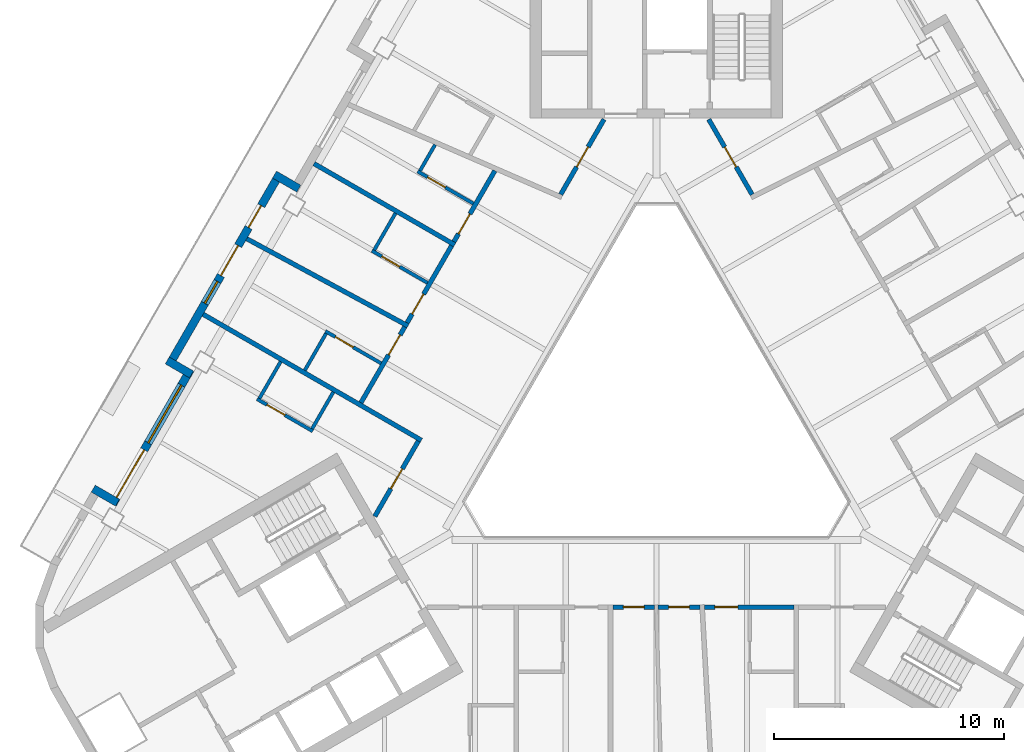
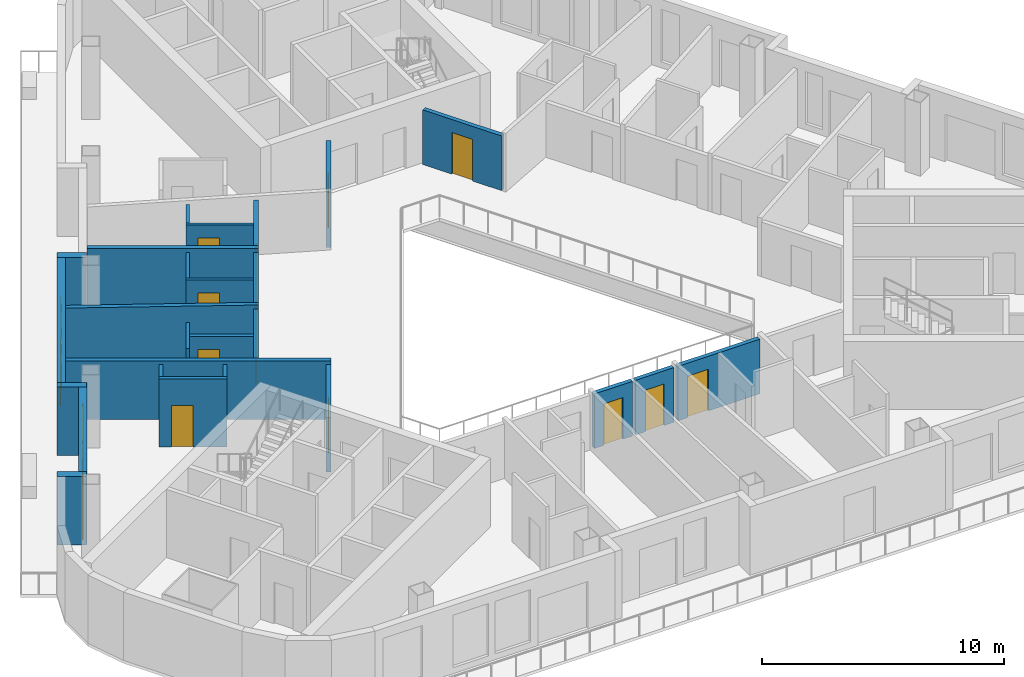
# One storey, part 4 of 14: 26 walls, 16 doors, 2 windows, 18 openings.
"""IFC4 building model written with IfcOpenShell, lengths in metres."""

from ifc_helpers import new_model, si_unit, direction, frame, frame_2d, origin, place, context, subcontext, project, spatial, rectangle, extrude, material, layer, layer_set, type_object, element, fill, save


model = new_model("IFC4")

# Units and contexts
model_context = context("Model", 3, precision=1e-05, world=origin(), true_north=direction((0.0, 1.0)))
body_context = subcontext(model_context, "Body", "Model", "MODEL_VIEW")
ifc_project = project(units=[si_unit("LENGTHUNIT", "METRE"), si_unit("AREAUNIT", "SQUARE_METRE"), si_unit("VOLUMEUNIT", "CUBIC_METRE"), si_unit("PLANEANGLEUNIT", "RADIAN"), si_unit("MASSUNIT", "GRAM", prefix="KILO")], contexts=[model_context])

# Site, building, storey
site_placement = place(None, origin())
site = spatial("IfcSite", under=ifc_project, at=site_placement, CompositionType="ELEMENT")
building_placement = place(site_placement, origin())
building = spatial("IfcBuilding", under=site, at=building_placement, Name="Apuvela Tower Hotel", CompositionType="ELEMENT")
storey_placement = place(building_placement, frame((0.0, 0.0, 228.0)))
storey = spatial("IfcBuildingStorey", under=building, at=storey_placement, Name="L56", CompositionType="ELEMENT", Elevation=228.0)

# Wall
ifc_material_1 = material(Name="Concrete C40/50, dark pigmented precast panel", Category="concrete")
ifc_layer_1 = layer(ifc_material_1, 0.35009765625)
ifc_layer_set_1 = layer_set([ifc_layer_1], Name="ENV-WALL-350")
wall_type_1 = type_object("IfcWallType", Name="ENV-WALL-350", PredefinedType="SOLIDWALL", material=ifc_layer_set_1)
wall_1_placement = place(storey_placement, frame((-15.580810546875, 9.8330078125, 0.0), z_axis=(0.0, 0.0, 1.0), x_axis=(-0.866055662726, 0.499947586314, 0.0)))
element("IfcWall", 1, at=wall_1_placement, inside=storey, type_object=wall_type_1, Name="External wall L56-04", PredefinedType="SOLIDWALL", context=body_context, shape_type="SweptSolid", body=[
    extrude(rectangle(XDim=1.220458984375, YDim=0.35009765625, at=frame_2d((0.6103515625, 0.0))), origin(), (0.0, 0.0, 1.0), 3.449951171875),
])

# Wall, openings, doors, window
wall_2_placement = place(storey_placement, frame((-16.3984375, 10.507080078125, 0.0), z_axis=(0.0, 0.0, 1.0), x_axis=(-0.499999142773, -0.866025898704, 0.0)))
wall_2 = element("IfcWall", 2, at=wall_2_placement, inside=storey, type_object=wall_type_1, Name="External wall L56-05", PredefinedType="SOLIDWALL", context=body_context, shape_type="SweptSolid", body=[
    extrude(rectangle(XDim=9.7001953125, YDim=0.35009765625, at=frame_2d((4.85009765625, 0.0))), origin(), (0.0, 0.0, 1.0), 3.449951171875),
])
opening_1_placement = place(wall_2_placement, frame((1.6376953125, 0.0, 0.0)))
opening_1 = element("IfcOpeningElement", 3, at=opening_1_placement, cuts=wall_2, Name="Opening BD11", PredefinedType="OPENING", context=body_context, shape_type="SweptSolid", body=[
    extrude(rectangle(XDim=1.10009765625, YDim=2.39990234375, at=frame_2d((0.550048828125, 1.199951171875))), frame((0.0, 0.18505859375, 0.0), z_axis=(0.0, -1.0, 0.0), x_axis=(1.0, 0.0, 0.0)), (0.0, 0.0, 1.0), 0.3701171875),
])
opening_2_placement = place(wall_2_placement, frame((3.64990234375, 0.0, 0.0)))
opening_2 = element("IfcOpeningElement", 4, at=opening_2_placement, cuts=wall_2, Name="Opening BD15", PredefinedType="OPENING", context=body_context, shape_type="SweptSolid", body=[
    extrude(rectangle(XDim=1.5, YDim=2.39990234375, at=frame_2d((0.75, 1.199951171875))), frame((0.0, 0.18505859375, 0.0), z_axis=(0.0, -1.0, 0.0), x_axis=(1.0, 0.0, 0.0)), (0.0, 0.0, 1.0), 0.3701171875),
])
opening_3_placement = place(wall_2_placement, frame((5.44970703125, 0.0, 0.300048828125)))
opening_3 = element("IfcOpeningElement", 5, at=opening_3_placement, cuts=wall_2, Name="Opening WN11", PredefinedType="OPENING", context=body_context, shape_type="SweptSolid", body=[
    extrude(rectangle(XDim=1.10009765625, YDim=2.64990234375, at=frame_2d((0.550048828125, 1.324951171875))), frame((0.0, 0.18505859375, 0.0), z_axis=(0.0, -1.0, 0.0), x_axis=(1.0, 0.0, 0.0)), (0.0, 0.0, 1.0), 0.3701171875),
])
ifc_material_2 = material(Name="Aluminium 6063-T6, dark bronze anodised frame with dark tinted laminated glass", Category="aluminium")
door_type_1 = type_object("IfcDoorType", Name="ENV-DOOR-BALCONY-1100x2400", OperationType="SLIDING_TO_LEFT", PredefinedType="DOOR", material=ifc_material_2)
door_1_placement = place(opening_1_placement, frame((1.10009765625, 0.0, 0.0), z_axis=(0.0, 0.0, 1.0), x_axis=(-1.0, 0.0, 0.0)))
door_1 = element("IfcDoor", 6, at=door_1_placement, inside=storey, type_object=door_type_1, Name="Balcony door BD11", OperationType="SLIDING_TO_LEFT", OverallHeight=2.39990234375, OverallWidth=1.10009765625, PredefinedType="DOOR", context=body_context, shape_type="SweptSolid", body=[
    extrude(rectangle(XDim=1.10009765625, YDim=2.39990234375, at=frame_2d((0.550048828125, 1.199951171875))), frame((0.0, 0.02490234375, 0.0), z_axis=(0.0, -1.0, 0.0), x_axis=(1.0, 0.0, 0.0)), (0.0, 0.0, 1.0), 0.050048828125),
])
fill(opening_1, door_1)
door_type_2 = type_object("IfcDoorType", Name="ENV-DOOR-BALCONY-1500x2400", OperationType="SLIDING_TO_LEFT", PredefinedType="DOOR", material=ifc_material_2)
door_2_placement = place(opening_2_placement, frame((1.5, 0.0, 0.0), z_axis=(0.0, 0.0, 1.0), x_axis=(-1.0, 0.0, 0.0)))
door_2 = element("IfcDoor", 7, at=door_2_placement, inside=storey, type_object=door_type_2, Name="Balcony door BD15", OperationType="SLIDING_TO_LEFT", OverallHeight=2.39990234375, OverallWidth=1.5, PredefinedType="DOOR", context=body_context, shape_type="SweptSolid", body=[
    extrude(rectangle(XDim=1.5, YDim=2.39990234375, at=frame_2d((0.75, 1.199951171875))), frame((0.0, 0.02490234375, 0.0), z_axis=(0.0, -1.0, 0.0), x_axis=(1.0, 0.0, 0.0)), (0.0, 0.0, 1.0), 0.050048828125),
])
fill(opening_2, door_2)
ifc_material_3 = material(Name="Glass, dark tinted laminated insulated glazing unit", Category="glass")
window_type_1 = type_object("IfcWindowType", Name="ENV-WIN-1100x2650", PartitioningType="SINGLE_PANEL", PredefinedType="WINDOW", material=ifc_material_3)
window_1_placement = place(opening_3_placement, origin())
window_1 = element("IfcWindow", 8, at=window_1_placement, inside=storey, type_object=window_type_1, Name="Window WN11", OverallHeight=2.64990234375, OverallWidth=1.10009765625, PartitioningType="SINGLE_PANEL", PredefinedType="WINDOW", context=body_context, shape_type="SweptSolid", body=[
    extrude(rectangle(XDim=1.10009765625, YDim=2.64990234375, at=frame_2d((0.550048828125, 1.324951171875))), frame((0.0, 0.030029296875, 0.0), z_axis=(0.0, -1.0, 0.0), x_axis=(1.0, 0.0, 0.0)), (0.0, 0.0, 1.0), 0.06005859375),
])
fill(opening_3, window_1)

# Wall
wall_3_placement = place(storey_placement, frame((-21.3125, 2.345703125, 0.0), z_axis=(0.0, 0.0, 1.0), x_axis=(0.866005645448, -0.500034220881, 0.0)))
element("IfcWall", 9, at=wall_3_placement, inside=storey, type_object=wall_type_1, Name="External wall L56-06", PredefinedType="SOLIDWALL", context=body_context, shape_type="SweptSolid", body=[
    extrude(rectangle(XDim=1.22021484375, YDim=0.35009765625, at=frame_2d((0.610107421875, 0.0))), origin(), (0.0, 0.0, 1.0), 3.449951171875),
])

# Wall, openings, door, window
wall_4_placement = place(storey_placement, frame((-20.30908203125, 1.93359375, 0.0), z_axis=(0.0, 0.0, 1.0), x_axis=(-0.499992114976, -0.866029956157, 0.0)))
wall_4 = element("IfcWall", 10, at=wall_4_placement, inside=storey, type_object=wall_type_1, Name="External wall L56-07", PredefinedType="SOLIDWALL", context=body_context, shape_type="SweptSolid", body=[
    extrude(rectangle(XDim=6.73974609375, YDim=0.35009765625, at=frame_2d((3.369873046875, 0.0))), origin(), (0.0, 0.0, 1.0), 3.449951171875),
])
opening_4_placement = place(wall_4_placement, frame((4.02001953125, 0.0, 0.0)))
opening_4 = element("IfcOpeningElement", 11, at=opening_4_placement, cuts=wall_4, Name="Opening BD24", PredefinedType="OPENING", context=body_context, shape_type="SweptSolid", body=[
    extrude(rectangle(XDim=2.39990234375, YDim=2.39990234375, at=frame_2d((1.199951171875, 1.199951171875))), frame((0.0, 0.18505859375, 0.0), z_axis=(0.0, -1.0, 0.0), x_axis=(1.0, 0.0, 0.0)), (0.0, 0.0, 1.0), 0.3701171875),
])
opening_5_placement = place(wall_4_placement, frame((0.77001953125, 0.0, 0.300048828125)))
opening_5 = element("IfcOpeningElement", 12, at=opening_5_placement, cuts=wall_4, Name="Opening WN29", PredefinedType="OPENING", context=body_context, shape_type="SweptSolid", body=[
    extrude(rectangle(XDim=2.89990234375, YDim=2.64990234375, at=frame_2d((1.449951171875, 1.324951171875))), frame((0.0, 0.18505859375, 0.0), z_axis=(0.0, -1.0, 0.0), x_axis=(1.0, 0.0, 0.0)), (0.0, 0.0, 1.0), 0.3701171875),
])
door_type_3 = type_object("IfcDoorType", Name="ENV-DOOR-BALCONY-2400x2400", OperationType="SLIDING_TO_LEFT", PredefinedType="DOOR", material=ifc_material_2)
door_3_placement = place(opening_4_placement, frame((2.39990234375, 0.0, 0.0), z_axis=(0.0, 0.0, 1.0), x_axis=(-1.0, 0.0, 0.0)))
door_3 = element("IfcDoor", 13, at=door_3_placement, inside=storey, type_object=door_type_3, Name="Balcony door BD24", OperationType="SLIDING_TO_LEFT", OverallHeight=2.39990234375, OverallWidth=2.39990234375, PredefinedType="DOOR", context=body_context, shape_type="SweptSolid", body=[
    extrude(rectangle(XDim=2.39990234375, YDim=2.39990234375, at=frame_2d((1.199951171875, 1.199951171875))), frame((0.0, 0.02490234375, 0.0), z_axis=(0.0, -1.0, 0.0), x_axis=(1.0, 0.0, 0.0)), (0.0, 0.0, 1.0), 0.050048828125),
])
fill(opening_4, door_3)
window_type_2 = type_object("IfcWindowType", Name="ENV-WIN-2900x2650", PartitioningType="SINGLE_PANEL", PredefinedType="WINDOW", material=ifc_material_3)
window_2_placement = place(opening_5_placement, origin())
window_2 = element("IfcWindow", 14, at=window_2_placement, inside=storey, type_object=window_type_2, Name="Window WN29", OverallHeight=2.64990234375, OverallWidth=2.89990234375, PartitioningType="SINGLE_PANEL", PredefinedType="WINDOW", context=body_context, shape_type="SweptSolid", body=[
    extrude(rectangle(XDim=2.89990234375, YDim=2.64990234375, at=frame_2d((1.449951171875, 1.324951171875))), frame((0.0, 0.030029296875, 0.0), z_axis=(0.0, -1.0, 0.0), x_axis=(1.0, 0.0, 0.0)), (0.0, 0.0, 1.0), 0.06005859375),
])
fill(opening_5, window_2)

# Walls
wall_5_placement = place(storey_placement, frame((-23.48095703125, -3.85009765625, 0.0), z_axis=(0.0, 0.0, 1.0), x_axis=(-0.866092288191, 0.499884134912, 0.0)))
element("IfcWall", 15, at=wall_5_placement, inside=storey, type_object=wall_type_1, Name="External wall L56-08", PredefinedType="SOLIDWALL", context=body_context, shape_type="SweptSolid", body=[
    extrude(rectangle(XDim=1.219970703125, YDim=0.35009765625, at=frame_2d((0.60986328125, 0.0))), origin(), (0.0, 0.0, 1.0), 3.449951171875),
])
ifc_material_4 = material(Name="Gypsum board partition on twin steel stud", Category="steel")
ifc_layer_2 = layer(ifc_material_4, 0.199951171875)
ifc_layer_set_2 = layer_set([ifc_layer_2], Name="GST-PW1")
wall_type_2 = type_object("IfcWallType", Name="GST-PW1", PredefinedType="PARTITIONING", material=ifc_layer_set_2)
wall_6_placement = place(storey_placement, frame((-14.91748046875, 10.922119140625, 0.0), z_axis=(0.0, 0.0, 1.0), x_axis=(0.866019052629, -0.500011000363, 0.0)))
element("IfcWall", 16, at=wall_6_placement, inside=storey, type_object=wall_type_2, Name="L56 partition 10", PredefinedType="PARTITIONING", context=body_context, shape_type="SweptSolid", body=[
    extrude(rectangle(XDim=7.079833984375, YDim=0.199951171875, at=frame_2d((3.5400390625, 0.0))), origin(), (0.0, 0.0, 1.0), 2.9599609375),
])
wall_7_placement = place(storey_placement, frame((-17.846923828125, 7.648193359375, 0.0), z_axis=(0.0, 0.0, 1.0), x_axis=(0.879604495132, -0.475705720109, 0.0)))
element("IfcWall", 17, at=wall_7_placement, inside=storey, type_object=wall_type_2, Name="L56 partition 11", PredefinedType="PARTITIONING", context=body_context, shape_type="SweptSolid", body=[
    extrude(rectangle(XDim=7.983154296875, YDim=0.199951171875, at=frame_2d((3.99169921875, 0.0))), origin(), (0.0, 0.0, 1.0), 2.9599609375),
])
wall_8_placement = place(storey_placement, frame((-19.7470703125, 4.357177734375, 0.0), z_axis=(0.0, 0.0, 1.0), x_axis=(0.866027479907, -0.499996404033, 0.0)))
element("IfcWall", 18, at=wall_8_placement, inside=storey, type_object=wall_type_2, Name="L56 partition 12", PredefinedType="PARTITIONING", context=body_context, shape_type="SweptSolid", body=[
    extrude(rectangle(XDim=10.97998046875, YDim=0.199951171875, at=frame_2d((5.489990234375, 0.0))), origin(), (0.0, 0.0, 1.0), 2.9599609375),
])

# Wall, opening, door
ifc_material_5 = material(Name="Gypsum board corridor wall on twin steel stud, acoustic", Category="steel")
ifc_layer_3 = layer(ifc_material_5, 0.199951171875)
ifc_layer_set_3 = layer_set([ifc_layer_3], Name="GST-PW2")
wall_type_3 = type_object("IfcWallType", Name="GST-PW2", PredefinedType="PARTITIONING", material=ifc_layer_set_3)
wall_9_placement = place(storey_placement, frame((-0.077880859375, -8.39990234375, 0.0), z_axis=(0.0, 0.0, 1.0), x_axis=(-1.0, 0.0, 0.0)))
wall_9 = element("IfcWall", 19, at=wall_9_placement, inside=storey, type_object=wall_type_3, Name="L56 partition 21", PredefinedType="PARTITIONING", context=body_context, shape_type="SweptSolid", body=[
    extrude(rectangle(XDim=1.822021484375, YDim=0.199951171875, at=frame_2d((0.9111328125, 0.0))), origin(), (0.0, 0.0, 1.0), 2.760009765625),
])
opening_6_placement = place(wall_9_placement, frame((0.461181640625, 0.0, 0.0)))
opening_6 = element("IfcOpeningElement", 20, at=opening_6_placement, cuts=wall_9, Name="Opening GD22-05", PredefinedType="OPENING", context=body_context, shape_type="SweptSolid", body=[
    extrude(rectangle(XDim=0.89990234375, YDim=2.10009765625, at=frame_2d((0.449951171875, 1.050048828125))), frame((0.0, 0.10986328125, 0.0), z_axis=(0.0, -1.0, 0.0), x_axis=(1.0, 0.0, 0.0)), (0.0, 0.0, 1.0), 0.219970703125),
])
ifc_material_6 = material(Name="Timber door leaf in steel frame", Category="steel")
door_type_4 = type_object("IfcDoorType", Name="GST-D2", OperationType="NOTDEFINED", PredefinedType="DOOR", material=ifc_material_6)
door_4_placement = place(opening_6_placement, origin())
door_4 = element("IfcDoor", 21, at=door_4_placement, inside=storey, type_object=door_type_4, Name="Door L56-05", OperationType="SINGLE_SWING_LEFT", OverallHeight=2.10009765625, OverallWidth=0.89990234375, PredefinedType="DOOR", context=body_context, shape_type="SweptSolid", body=[
    extrude(rectangle(XDim=0.89990234375, YDim=2.10009765625, at=frame_2d((0.449951171875, 1.050048828125))), frame((0.0, 0.02490234375, 0.0), z_axis=(0.0, -1.0, 0.0), x_axis=(1.0, 0.0, 0.0)), (0.0, 0.0, 1.0), 0.050048828125),
])
fill(opening_6, door_4)

wall_10_placement = place(storey_placement, frame((1.894287109375, -8.39990234375, 0.0), z_axis=(0.0, 0.0, 1.0), x_axis=(-1.0, 0.0, 0.0)))
wall_10 = element("IfcWall", 22, at=wall_10_placement, inside=storey, type_object=wall_type_3, Name="L56 partition 22", PredefinedType="PARTITIONING", context=body_context, shape_type="SweptSolid", body=[
    extrude(rectangle(XDim=1.822021484375, YDim=0.199951171875, at=frame_2d((0.9111328125, 0.0))), origin(), (0.0, 0.0, 1.0), 2.760009765625),
])
opening_7_placement = place(wall_10_placement, frame((0.461181640625, 0.0, 0.0)))
opening_7 = element("IfcOpeningElement", 23, at=opening_7_placement, cuts=wall_10, Name="Opening GD22-06", PredefinedType="OPENING", context=body_context, shape_type="SweptSolid", body=[
    extrude(rectangle(XDim=0.89990234375, YDim=2.10009765625, at=frame_2d((0.449951171875, 1.050048828125))), frame((0.0, 0.10986328125, 0.0), z_axis=(0.0, -1.0, 0.0), x_axis=(1.0, 0.0, 0.0)), (0.0, 0.0, 1.0), 0.219970703125),
])
door_5_placement = place(opening_7_placement, origin())
door_5 = element("IfcDoor", 24, at=door_5_placement, inside=storey, type_object=door_type_4, Name="Door L56-06", OperationType="SINGLE_SWING_RIGHT", OverallHeight=2.10009765625, OverallWidth=0.89990234375, PredefinedType="DOOR", context=body_context, shape_type="SweptSolid", body=[
    extrude(rectangle(XDim=0.89990234375, YDim=2.10009765625, at=frame_2d((0.449951171875, 1.050048828125))), frame((0.0, 0.02490234375, 0.0), z_axis=(0.0, -1.0, 0.0), x_axis=(1.0, 0.0, 0.0)), (0.0, 0.0, 1.0), 0.050048828125),
])
fill(opening_7, door_5)

wall_11_placement = place(storey_placement, frame((6.0, -8.39990234375, 0.0), z_axis=(0.0, 0.0, 1.0), x_axis=(-1.0, 0.0, 0.0)))
wall_11 = element("IfcWall", 25, at=wall_11_placement, inside=storey, type_object=wall_type_3, Name="L56 partition 23", PredefinedType="PARTITIONING", context=body_context, shape_type="SweptSolid", body=[
    extrude(rectangle(XDim=3.905517578125, YDim=0.199951171875, at=frame_2d((1.95263671875, 0.0))), origin(), (0.0, 0.0, 1.0), 2.760009765625),
])
opening_8_placement = place(wall_11_placement, frame((2.449951171875, 0.0, 0.0)))
opening_8 = element("IfcOpeningElement", 26, at=opening_8_placement, cuts=wall_11, Name="Opening GD22-08", PredefinedType="OPENING", context=body_context, shape_type="SweptSolid", body=[
    extrude(rectangle(XDim=1.0, YDim=2.10009765625, at=frame_2d((0.5, 1.050048828125))), frame((0.0, 0.10986328125, 0.0), z_axis=(0.0, -1.0, 0.0), x_axis=(1.0, 0.0, 0.0)), (0.0, 0.0, 1.0), 0.219970703125),
])
door_type_5 = type_object("IfcDoorType", Name="GST-D1", OperationType="NOTDEFINED", PredefinedType="DOOR", material=ifc_material_6)
door_6_placement = place(opening_8_placement, origin())
door_6 = element("IfcDoor", 27, at=door_6_placement, inside=storey, type_object=door_type_5, Name="Door L56-08", OperationType="SINGLE_SWING_RIGHT", OverallHeight=2.10009765625, OverallWidth=1.0, PredefinedType="DOOR", context=body_context, shape_type="SweptSolid", body=[
    extrude(rectangle(XDim=1.0, YDim=2.10009765625, at=frame_2d((0.5, 1.050048828125))), frame((0.0, 0.02490234375, 0.0), z_axis=(0.0, -1.0, 0.0), x_axis=(1.0, 0.0, 0.0)), (0.0, 0.0, 1.0), 0.050048828125),
])
fill(opening_8, door_6)

wall_12_placement = place(storey_placement, frame((2.280517578125, 12.85009765625, 0.0), z_axis=(0.0, 0.0, 1.0), x_axis=(0.499985062256, -0.866034027923, 0.0)))
wall_12 = element("IfcWall", 28, at=wall_12_placement, inside=storey, type_object=wall_type_3, Name="L56 partition 43", PredefinedType="PARTITIONING", context=body_context, shape_type="SweptSolid", body=[
    extrude(rectangle(XDim=3.7822265625, YDim=0.199951171875, at=frame_2d((1.89111328125, 0.0))), origin(), (0.0, 0.0, 1.0), 2.760009765625),
])
opening_9_placement = place(wall_12_placement, frame((1.39111328125, 0.0, 0.0)))
opening_9 = element("IfcOpeningElement", 29, at=opening_9_placement, cuts=wall_12, Name="Opening GD22-20", PredefinedType="OPENING", context=body_context, shape_type="SweptSolid", body=[
    extrude(rectangle(XDim=1.0, YDim=2.10009765625, at=frame_2d((0.5, 1.050048828125))), frame((0.0, 0.10986328125, 0.0), z_axis=(0.0, -1.0, 0.0), x_axis=(1.0, 0.0, 0.0)), (0.0, 0.0, 1.0), 0.219970703125),
])
door_7_placement = place(opening_9_placement, origin())
door_7 = element("IfcDoor", 30, at=door_7_placement, inside=storey, type_object=door_type_5, Name="Door L56-20", OperationType="SINGLE_SWING_RIGHT", OverallHeight=2.10009765625, OverallWidth=1.0, PredefinedType="DOOR", context=body_context, shape_type="SweptSolid", body=[
    extrude(rectangle(XDim=1.0, YDim=2.10009765625, at=frame_2d((0.5, 1.050048828125))), frame((0.0, 0.02490234375, 0.0), z_axis=(0.0, -1.0, 0.0), x_axis=(1.0, 0.0, 0.0)), (0.0, 0.0, 1.0), 0.050048828125),
])
fill(opening_9, door_7)

wall_13_placement = place(storey_placement, frame((-4.168701171875, 9.57958984375, 0.0), z_axis=(0.0, 0.0, 1.0), x_axis=(0.499991068497, 0.866030560329, 0.0)))
wall_13 = element("IfcWall", 31, at=wall_13_placement, inside=storey, type_object=wall_type_3, Name="L56 partition 47", PredefinedType="PARTITIONING", context=body_context, shape_type="SweptSolid", body=[
    extrude(rectangle(XDim=3.7763671875, YDim=0.199951171875, at=frame_2d((1.88818359375, 0.0))), origin(), (0.0, 0.0, 1.0), 2.760009765625),
])
opening_10_placement = place(wall_13_placement, frame((1.38818359375, 0.0, 0.0)))
opening_10 = element("IfcOpeningElement", 32, at=opening_10_placement, cuts=wall_13, Name="Opening GD22-22", PredefinedType="OPENING", context=body_context, shape_type="SweptSolid", body=[
    extrude(rectangle(XDim=1.0, YDim=2.10009765625, at=frame_2d((0.5, 1.050048828125))), frame((0.0, 0.10986328125, 0.0), z_axis=(0.0, -1.0, 0.0), x_axis=(1.0, 0.0, 0.0)), (0.0, 0.0, 1.0), 0.219970703125),
])
door_8_placement = place(opening_10_placement, origin())
door_8 = element("IfcDoor", 33, at=door_8_placement, inside=storey, type_object=door_type_5, Name="Door L56-22", OperationType="SINGLE_SWING_LEFT", OverallHeight=2.10009765625, OverallWidth=1.0, PredefinedType="DOOR", context=body_context, shape_type="SweptSolid", body=[
    extrude(rectangle(XDim=1.0, YDim=2.10009765625, at=frame_2d((0.5, 1.050048828125))), frame((0.0, 0.02490234375, 0.0), z_axis=(0.0, -1.0, 0.0), x_axis=(1.0, 0.0, 0.0)), (0.0, 0.0, 1.0), 0.050048828125),
])
fill(opening_10, door_8)

wall_14_placement = place(storey_placement, frame((-8.82275390625, 7.518798828125, 0.0), z_axis=(0.0, 0.0, 1.0), x_axis=(0.500036104519, 0.866004557827, 0.0)))
wall_14 = element("IfcWall", 34, at=wall_14_placement, inside=storey, type_object=wall_type_3, Name="L56 partition 51", PredefinedType="PARTITIONING", context=body_context, shape_type="SweptSolid", body=[
    extrude(rectangle(XDim=3.571044921875, YDim=0.199951171875, at=frame_2d((1.78564453125, 0.0))), origin(), (0.0, 0.0, 1.0), 2.760009765625),
])
opening_11_placement = place(wall_14_placement, frame((0.39990234375, 0.0, 0.0)))
opening_11 = element("IfcOpeningElement", 35, at=opening_11_placement, cuts=wall_14, Name="Opening GD22-24", PredefinedType="OPENING", context=body_context, shape_type="SweptSolid", body=[
    extrude(rectangle(XDim=1.0, YDim=2.10009765625, at=frame_2d((0.5, 1.050048828125))), frame((0.0, 0.10986328125, 0.0), z_axis=(0.0, -1.0, 0.0), x_axis=(1.0, 0.0, 0.0)), (0.0, 0.0, 1.0), 0.219970703125),
])
door_9_placement = place(opening_11_placement, origin())
door_9 = element("IfcDoor", 36, at=door_9_placement, inside=storey, type_object=door_type_5, Name="Door L56-24", OperationType="SINGLE_SWING_LEFT", OverallHeight=2.10009765625, OverallWidth=1.0, PredefinedType="DOOR", context=body_context, shape_type="SweptSolid", body=[
    extrude(rectangle(XDim=1.0, YDim=2.10009765625, at=frame_2d((0.5, 1.050048828125))), frame((0.0, 0.02490234375, 0.0), z_axis=(0.0, -1.0, 0.0), x_axis=(1.0, 0.0, 0.0)), (0.0, 0.0, 1.0), 0.050048828125),
])
fill(opening_11, door_9)

wall_15_placement = place(storey_placement, frame((-10.863037109375, 3.984619140625, 0.0), z_axis=(0.0, 0.0, 1.0), x_axis=(0.500009256921, 0.866020059232, 0.0)))
wall_15 = element("IfcWall", 37, at=wall_15_placement, inside=storey, type_object=wall_type_3, Name="L56 partition 54", PredefinedType="PARTITIONING", context=body_context, shape_type="SweptSolid", body=[
    extrude(rectangle(XDim=3.880859375, YDim=0.199951171875, at=frame_2d((1.9404296875, 0.0))), origin(), (0.0, 0.0, 1.0), 2.760009765625),
])
opening_12_placement = place(wall_15_placement, frame((0.440185546875, 0.0, 0.0)))
opening_12 = element("IfcOpeningElement", 38, at=opening_12_placement, cuts=wall_15, Name="Opening GD22-26", PredefinedType="OPENING", context=body_context, shape_type="SweptSolid", body=[
    extrude(rectangle(XDim=1.0, YDim=2.10009765625, at=frame_2d((0.5, 1.050048828125))), frame((0.0, 0.10986328125, 0.0), z_axis=(0.0, -1.0, 0.0), x_axis=(1.0, 0.0, 0.0)), (0.0, 0.0, 1.0), 0.219970703125),
])
door_10_placement = place(opening_12_placement, origin())
door_10 = element("IfcDoor", 39, at=door_10_placement, inside=storey, type_object=door_type_5, Name="Door L56-26", OperationType="SINGLE_SWING_LEFT", OverallHeight=2.10009765625, OverallWidth=1.0, PredefinedType="DOOR", context=body_context, shape_type="SweptSolid", body=[
    extrude(rectangle(XDim=1.0, YDim=2.10009765625, at=frame_2d((0.5, 1.050048828125))), frame((0.0, 0.02490234375, 0.0), z_axis=(0.0, -1.0, 0.0), x_axis=(1.0, 0.0, 0.0)), (0.0, 0.0, 1.0), 0.050048828125),
])
fill(opening_12, door_10)

wall_16_placement = place(storey_placement, frame((-12.872802734375, 0.50390625, 0.0), z_axis=(0.0, 0.0, 1.0), x_axis=(0.500030487836, 0.866007800909, 0.0)))
wall_16 = element("IfcWall", 40, at=wall_16_placement, inside=storey, type_object=wall_type_3, Name="L56 partition 57", PredefinedType="PARTITIONING", context=body_context, shape_type="SweptSolid", body=[
    extrude(rectangle(XDim=3.819091796875, YDim=0.199951171875, at=frame_2d((1.90966796875, 0.0))), origin(), (0.0, 0.0, 1.0), 2.760009765625),
])
opening_13_placement = place(wall_16_placement, frame((2.40966796875, 0.0, 0.0)))
opening_13 = element("IfcOpeningElement", 41, at=opening_13_placement, cuts=wall_16, Name="Opening GD22-28", PredefinedType="OPENING", context=body_context, shape_type="SweptSolid", body=[
    extrude(rectangle(XDim=1.0, YDim=2.10009765625, at=frame_2d((0.5, 1.050048828125))), frame((0.0, 0.10986328125, 0.0), z_axis=(0.0, -1.0, 0.0), x_axis=(1.0, 0.0, 0.0)), (0.0, 0.0, 1.0), 0.219970703125),
])
door_11_placement = place(opening_13_placement, origin())
door_11 = element("IfcDoor", 42, at=door_11_placement, inside=storey, type_object=door_type_5, Name="Door L56-28", OperationType="SINGLE_SWING_RIGHT", OverallHeight=2.10009765625, OverallWidth=1.0, PredefinedType="DOOR", context=body_context, shape_type="SweptSolid", body=[
    extrude(rectangle(XDim=1.0, YDim=2.10009765625, at=frame_2d((0.5, 1.050048828125))), frame((0.0, 0.02490234375, 0.0), z_axis=(0.0, -1.0, 0.0), x_axis=(1.0, 0.0, 0.0)), (0.0, 0.0, 1.0), 0.050048828125),
])
fill(opening_13, door_11)

wall_17_placement = place(storey_placement, frame((-12.268798828125, -4.449951171875, 0.0), z_axis=(0.0, 0.0, 1.0), x_axis=(0.500055316652, 0.865993464345, 0.0)))
wall_17 = element("IfcWall", 43, at=wall_17_placement, inside=storey, type_object=wall_type_3, Name="L56 partition 60", PredefinedType="PARTITIONING", context=body_context, shape_type="SweptSolid", body=[
    extrude(rectangle(XDim=3.7880859375, YDim=0.199951171875, at=frame_2d((1.89404296875, 0.0))), origin(), (0.0, 0.0, 1.0), 2.760009765625),
])
opening_14_placement = place(wall_17_placement, frame((1.39404296875, 0.0, 0.0)))
opening_14 = element("IfcOpeningElement", 44, at=opening_14_placement, cuts=wall_17, Name="Opening GD22-30", PredefinedType="OPENING", context=body_context, shape_type="SweptSolid", body=[
    extrude(rectangle(XDim=1.0, YDim=2.10009765625, at=frame_2d((0.5, 1.050048828125))), frame((0.0, 0.10986328125, 0.0), z_axis=(0.0, -1.0, 0.0), x_axis=(1.0, 0.0, 0.0)), (0.0, 0.0, 1.0), 0.219970703125),
])
door_12_placement = place(opening_14_placement, origin())
door_12 = element("IfcDoor", 45, at=door_12_placement, inside=storey, type_object=door_type_5, Name="Door L56-30", OperationType="SINGLE_SWING_RIGHT", OverallHeight=2.10009765625, OverallWidth=1.0, PredefinedType="DOOR", context=body_context, shape_type="SweptSolid", body=[
    extrude(rectangle(XDim=1.0, YDim=2.10009765625, at=frame_2d((0.5, 1.050048828125))), frame((0.0, 0.02490234375, 0.0), z_axis=(0.0, -1.0, 0.0), x_axis=(1.0, 0.0, 0.0)), (0.0, 0.0, 1.0), 0.050048828125),
])
fill(opening_14, door_12)

ifc_material_7 = material(Name="Moisture-resistant gypsum board wet wall on steel stud", Category="steel")
ifc_layer_4 = layer(ifc_material_7, 0.14990234375)
ifc_layer_set_4 = layer_set([ifc_layer_4], Name="GST-PW3")
wall_type_4 = type_object("IfcWallType", Name="GST-PW3", PredefinedType="PARTITIONING", material=ifc_layer_set_4)
wall_18_placement = place(storey_placement, frame((-10.40234375, 10.58251953125, 0.0), z_axis=(0.0, 0.0, 1.0), x_axis=(0.866034573852, -0.49998411664, 0.0)))
wall_18 = element("IfcWall", 46, at=wall_18_placement, inside=storey, type_object=wall_type_4, Name="L56 partition 52", PredefinedType="PARTITIONING", context=body_context, shape_type="SweptSolid", body=[
    extrude(rectangle(XDim=2.7998046875, YDim=0.14990234375, at=frame_2d((1.39990234375, 0.0))), origin(), (0.0, 0.0, 1.0), 2.760009765625),
])
opening_15_placement = place(wall_18_placement, frame((0.5, 0.0, 0.0)))
opening_15 = element("IfcOpeningElement", 47, at=opening_15_placement, cuts=wall_18, Name="Opening GD22-23", PredefinedType="OPENING", context=body_context, shape_type="SweptSolid", body=[
    extrude(rectangle(XDim=0.89990234375, YDim=2.10009765625, at=frame_2d((0.449951171875, 1.050048828125))), frame((0.0, 0.0849609375, 0.0), z_axis=(0.0, -1.0, 0.0), x_axis=(1.0, 0.0, 0.0)), (0.0, 0.0, 1.0), 0.169921875),
])
door_13_placement = place(opening_15_placement, origin())
door_13 = element("IfcDoor", 48, at=door_13_placement, inside=storey, type_object=door_type_4, Name="Door L56-23", OperationType="SINGLE_SWING_LEFT", OverallHeight=2.10009765625, OverallWidth=0.89990234375, PredefinedType="DOOR", context=body_context, shape_type="SweptSolid", body=[
    extrude(rectangle(XDim=0.89990234375, YDim=2.10009765625, at=frame_2d((0.449951171875, 1.050048828125))), frame((0.0, 0.02490234375, 0.0), z_axis=(0.0, -1.0, 0.0), x_axis=(1.0, 0.0, 0.0)), (0.0, 0.0, 1.0), 0.050048828125),
])
fill(opening_15, door_13)

# Wall
wall_19_placement = place(storey_placement, frame((-9.6435546875, 11.7470703125, 0.0), z_axis=(0.0, 0.0, 1.0), x_axis=(-0.499899541988, -0.866083395476, 0.0)))
element("IfcWall", 49, at=wall_19_placement, inside=storey, type_object=wall_type_4, Name="L56 partition 53", PredefinedType="PARTITIONING", context=body_context, shape_type="SweptSolid", body=[
    extrude(rectangle(XDim=1.312744140625, YDim=0.14990234375, at=frame_2d((0.65625, 0.0))), origin(), (0.0, 0.0, 1.0), 2.760009765625),
])

# Wall, opening, door
wall_20_placement = place(storey_placement, frame((-12.396728515625, 7.12841796875, 0.0), z_axis=(0.0, 0.0, 1.0), x_axis=(0.866018616679, -0.500011755427, 0.0)))
wall_20 = element("IfcWall", 50, at=wall_20_placement, inside=storey, type_object=wall_type_4, Name="L56 partition 55", PredefinedType="PARTITIONING", context=body_context, shape_type="SweptSolid", body=[
    extrude(rectangle(XDim=2.80029296875, YDim=0.14990234375, at=frame_2d((1.400146484375, 0.0))), origin(), (0.0, 0.0, 1.0), 2.760009765625),
])
opening_16_placement = place(wall_20_placement, frame((0.5, 0.0, 0.0)))
opening_16 = element("IfcOpeningElement", 51, at=opening_16_placement, cuts=wall_20, Name="Opening GD22-25", PredefinedType="OPENING", context=body_context, shape_type="SweptSolid", body=[
    extrude(rectangle(XDim=0.89990234375, YDim=2.10009765625, at=frame_2d((0.449951171875, 1.050048828125))), frame((0.0, 0.0849609375, 0.0), z_axis=(0.0, -1.0, 0.0), x_axis=(1.0, 0.0, 0.0)), (0.0, 0.0, 1.0), 0.169921875),
])
door_14_placement = place(opening_16_placement, origin())
door_14 = element("IfcDoor", 52, at=door_14_placement, inside=storey, type_object=door_type_4, Name="Door L56-25", OperationType="SINGLE_SWING_LEFT", OverallHeight=2.10009765625, OverallWidth=0.89990234375, PredefinedType="DOOR", context=body_context, shape_type="SweptSolid", body=[
    extrude(rectangle(XDim=0.89990234375, YDim=2.10009765625, at=frame_2d((0.449951171875, 1.050048828125))), frame((0.0, 0.02490234375, 0.0), z_axis=(0.0, -1.0, 0.0), x_axis=(1.0, 0.0, 0.0)), (0.0, 0.0, 1.0), 0.050048828125),
])
fill(opening_16, door_14)

# Wall
wall_21_placement = place(storey_placement, frame((-11.369140625, 8.7578125, 0.0), z_axis=(0.0, 0.0, 1.0), x_axis=(-0.500042316284, -0.866000971088, 0.0)))
element("IfcWall", 53, at=wall_21_placement, inside=storey, type_object=wall_type_4, Name="L56 partition 56", PredefinedType="PARTITIONING", context=body_context, shape_type="SweptSolid", body=[
    extrude(rectangle(XDim=1.849853515625, YDim=0.14990234375, at=frame_2d((0.9248046875, 0.0))), origin(), (0.0, 0.0, 1.0), 2.760009765625),
])

# Wall, opening, door
wall_22_placement = place(storey_placement, frame((-11.996826171875, 2.220947265625, 0.0), z_axis=(0.0, 0.0, 1.0), x_axis=(-0.866034573852, 0.49998411664, 0.0)))
wall_22 = element("IfcWall", 54, at=wall_22_placement, inside=storey, type_object=wall_type_4, Name="L56 partition 58", PredefinedType="PARTITIONING", context=body_context, shape_type="SweptSolid", body=[
    extrude(rectangle(XDim=2.7998046875, YDim=0.14990234375, at=frame_2d((1.39990234375, 0.0))), origin(), (0.0, 0.0, 1.0), 2.760009765625),
])
opening_17_placement = place(wall_22_placement, frame((1.39990234375, 0.0, 0.0)))
opening_17 = element("IfcOpeningElement", 55, at=opening_17_placement, cuts=wall_22, Name="Opening GD22-27", PredefinedType="OPENING", context=body_context, shape_type="SweptSolid", body=[
    extrude(rectangle(XDim=0.89990234375, YDim=2.10009765625, at=frame_2d((0.449951171875, 1.050048828125))), frame((0.0, 0.0849609375, 0.0), z_axis=(0.0, -1.0, 0.0), x_axis=(1.0, 0.0, 0.0)), (0.0, 0.0, 1.0), 0.169921875),
])
door_15_placement = place(opening_17_placement, origin())
door_15 = element("IfcDoor", 56, at=door_15_placement, inside=storey, type_object=door_type_4, Name="Door L56-27", OperationType="SINGLE_SWING_RIGHT", OverallHeight=2.10009765625, OverallWidth=0.89990234375, PredefinedType="DOOR", context=body_context, shape_type="SweptSolid", body=[
    extrude(rectangle(XDim=0.89990234375, YDim=2.10009765625, at=frame_2d((0.449951171875, 1.050048828125))), frame((0.0, 0.02490234375, 0.0), z_axis=(0.0, -1.0, 0.0), x_axis=(1.0, 0.0, 0.0)), (0.0, 0.0, 1.0), 0.050048828125),
])
fill(opening_17, door_15)

# Wall
wall_23_placement = place(storey_placement, frame((-14.394287109375, 3.5185546875, 0.0), z_axis=(0.0, 0.0, 1.0), x_axis=(-0.499886193382, -0.866091100096, 0.0)))
element("IfcWall", 57, at=wall_23_placement, inside=storey, type_object=wall_type_4, Name="L56 partition 59", PredefinedType="PARTITIONING", context=body_context, shape_type="SweptSolid", body=[
    extrude(rectangle(XDim=1.85009765625, YDim=0.14990234375, at=frame_2d((0.925048828125, 0.0))), origin(), (0.0, 0.0, 1.0), 3.449951171875),
])

# Wall, opening, door
wall_24_placement = place(storey_placement, frame((-17.3994140625, 0.66357421875, 0.0), z_axis=(0.0, 0.0, 1.0), x_axis=(0.866018616679, -0.500011755427, 0.0)))
wall_24 = element("IfcWall", 58, at=wall_24_placement, inside=storey, type_object=wall_type_4, Name="L56 partition 61", PredefinedType="PARTITIONING", context=body_context, shape_type="SweptSolid", body=[
    extrude(rectangle(XDim=2.80029296875, YDim=0.14990234375, at=frame_2d((1.400146484375, 0.0))), origin(), (0.0, 0.0, 1.0), 3.449951171875),
])
opening_18_placement = place(wall_24_placement, frame((0.5, 0.0, 0.0)))
opening_18 = element("IfcOpeningElement", 59, at=opening_18_placement, cuts=wall_24, Name="Opening GD22-29", PredefinedType="OPENING", context=body_context, shape_type="SweptSolid", body=[
    extrude(rectangle(XDim=0.89990234375, YDim=2.10009765625, at=frame_2d((0.449951171875, 1.050048828125))), frame((0.0, 0.0849609375, 0.0), z_axis=(0.0, -1.0, 0.0), x_axis=(1.0, 0.0, 0.0)), (0.0, 0.0, 1.0), 0.169921875),
])
door_16_placement = place(opening_18_placement, origin())
door_16 = element("IfcDoor", 60, at=door_16_placement, inside=storey, type_object=door_type_4, Name="Door L56-29", OperationType="SINGLE_SWING_LEFT", OverallHeight=2.10009765625, OverallWidth=0.89990234375, PredefinedType="DOOR", context=body_context, shape_type="SweptSolid", body=[
    extrude(rectangle(XDim=0.89990234375, YDim=2.10009765625, at=frame_2d((0.449951171875, 1.050048828125))), frame((0.0, 0.02490234375, 0.0), z_axis=(0.0, -1.0, 0.0), x_axis=(1.0, 0.0, 0.0)), (0.0, 0.0, 1.0), 0.050048828125),
])
fill(opening_18, door_16)

# Walls
wall_25_placement = place(storey_placement, frame((-16.371826171875, 2.293212890625, 0.0), z_axis=(0.0, 0.0, 1.0), x_axis=(-0.499985172903, -0.866033964044, 0.0)))
element("IfcWall", 61, at=wall_25_placement, inside=storey, type_object=wall_type_4, Name="L56 partition 62", PredefinedType="PARTITIONING", context=body_context, shape_type="SweptSolid", body=[
    extrude(rectangle(XDim=1.85009765625, YDim=0.14990234375, at=frame_2d((0.925048828125, 0.0))), origin(), (0.0, 0.0, 1.0), 2.760009765625),
])
wall_26_placement = place(storey_placement, frame((-14.076904296875, 0.968017578125, 0.0), z_axis=(0.0, 0.0, 1.0), x_axis=(-0.500042316284, -0.866000971088, 0.0)))
element("IfcWall", 62, at=wall_26_placement, inside=storey, type_object=wall_type_4, Name="L56 partition 63", PredefinedType="PARTITIONING", context=body_context, shape_type="SweptSolid", body=[
    extrude(rectangle(XDim=1.849853515625, YDim=0.14990234375, at=frame_2d((0.9248046875, 0.0))), origin(), (0.0, 0.0, 1.0), 2.760009765625),
])

save(model, "model.ifc")
